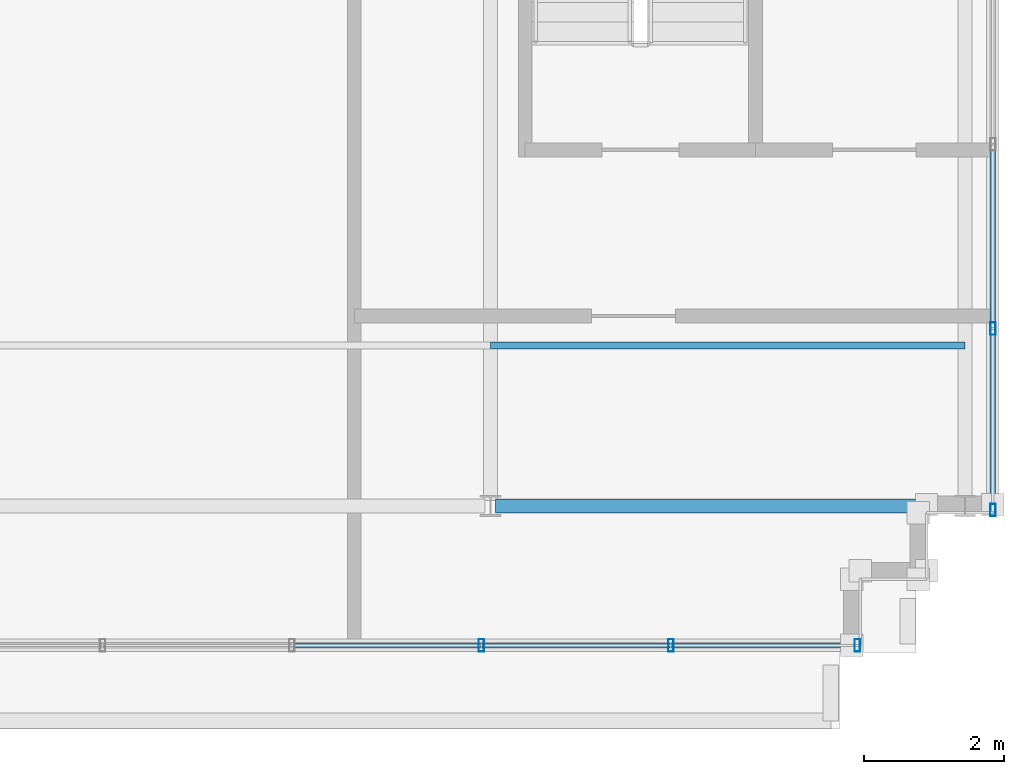
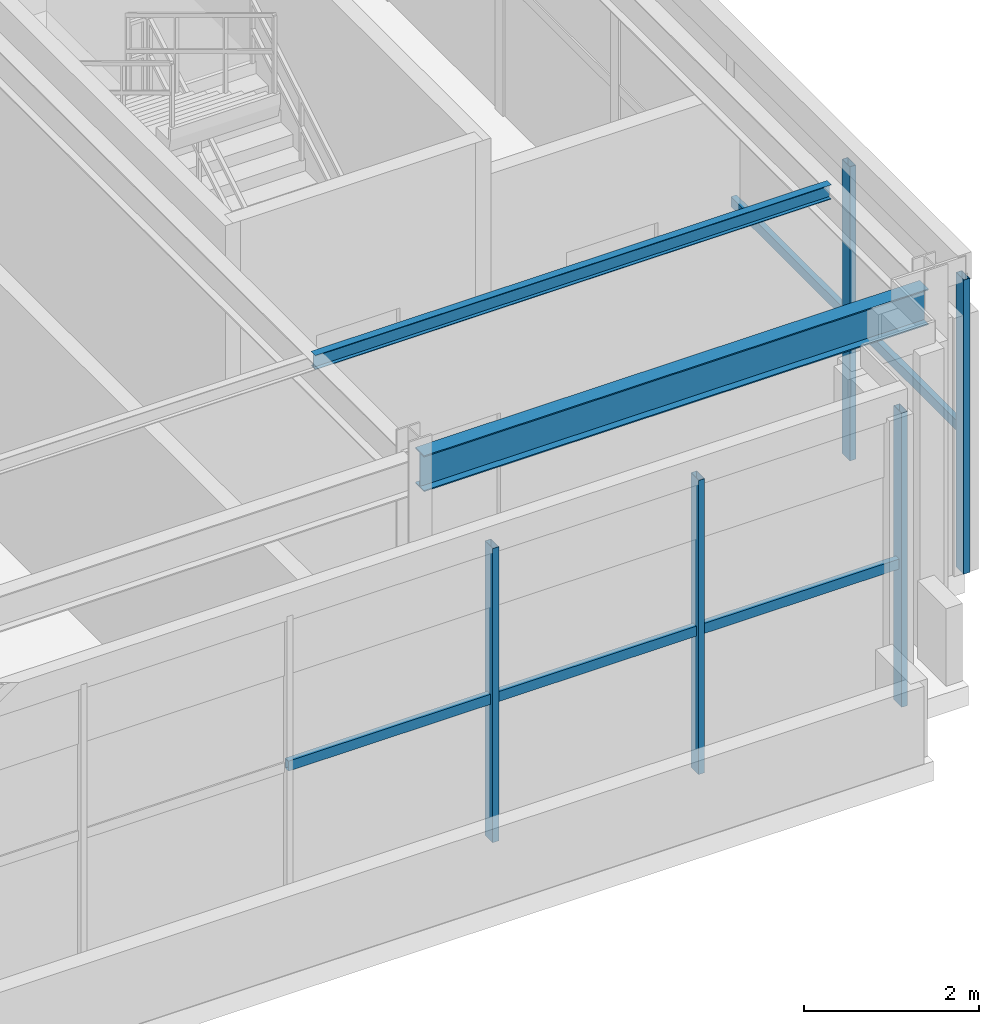
# One storey, part 16 of 31: 11 members, 1 beam, 2 elements without a shape of their own.
"""IFC4 building model written with IfcOpenShell, lengths in metres."""

from ifc_helpers import new_model, si_unit, direction, frame, origin, origin_2d, place, context, subcontext, project, spatial, hollow_rectangle, i_section, extrude, source, transform, mapped, material, material_profile, profile_set, type_object, element, aggregate, save


model = new_model("IFC4")

# Units and contexts
model_context = context("Model", 3, precision=1e-05, world=origin(), true_north=direction((0.0, 1.0)))
body_context = subcontext(model_context, "Body", "Model", "MODEL_VIEW")
ifc_project = project(units=[si_unit("LENGTHUNIT", "METRE"), si_unit("AREAUNIT", "SQUARE_METRE"), si_unit("VOLUMEUNIT", "CUBIC_METRE"), si_unit("PLANEANGLEUNIT", "RADIAN"), si_unit("MASSUNIT", "GRAM", prefix="KILO")], contexts=[model_context])

# Site, building, storey
site_placement = place(None, origin())
site = spatial("IfcSite", under=ifc_project, at=site_placement, CompositionType="ELEMENT")
building_placement = place(site_placement, origin())
building = spatial("IfcBuilding", under=site, at=building_placement, Name="Trelvane Seafront Commons", CompositionType="ELEMENT")
storey_placement = place(building_placement, frame((0.0, 0.0, 307.89990234375)))
storey = spatial("IfcBuildingStorey", under=building, at=storey_placement, Name="L80", CompositionType="ELEMENT", Elevation=307.89990234375)

# Beam
ifc_material_1 = material(Name="Steel SM355 (S355)", Category="steel")
ifc_material_profile_1 = material_profile(ifc_material_1, i_section(OverallWidth=0.199951171875, OverallDepth=0.5, WebThickness=0.010009765625, FlangeThickness=0.01611328125, at=origin_2d()), Name="H-500x200x10x16")
ifc_profile_set_1 = profile_set([ifc_material_profile_1], Name="Steel SM355 (S355)")
beam_type = type_object("IfcBeamType", Name="STR-CROWN-FRAME-RING", PredefinedType="SPANDREL", material=ifc_profile_set_1)
shared_shape_1 = source(origin(), body_context, "Body", "SweptSolid", [
    extrude(i_section(OverallWidth=0.199951171875, OverallDepth=0.5, WebThickness=0.010009765625, FlangeThickness=0.01611328125, at=origin_2d()), origin(), (0.0, 0.0, 1.0), 6.64990234375),
])
beam_placement = place(storey_placement, frame((58.875, 18.199951171875, 3.85009765625), z_axis=(1.0, 0.0, 0.0), x_axis=(0.0, 1.0, 0.0)))
element("IfcBeam", 1, at=beam_placement, inside=storey, type_object=beam_type, Name="L80 CROWN FRAME Ring Beam G-07", PredefinedType="SPANDREL", context=body_context, shape_type="MappedRepresentation", body=[
    mapped(shared_shape_1, transform((0.0, 0.0, 0.0), x_axis=(1.0, 0.0, 0.0), y_axis=(0.0, 1.0, 0.0), z_axis=(0.0, 0.0, 1.0), scale=1.0)),
])

# Member
ifc_material_profile_2 = material_profile(ifc_material_1, i_section(OverallWidth=0.10009765625, OverallDepth=0.199951171875, WebThickness=0.005615234375, FlangeThickness=0.008056640625, at=origin_2d()), Name="H-200x100x5.5x8")
ifc_profile_set_2 = profile_set([ifc_material_profile_2], Name="Steel SM355 (S355)")
member_type_1 = type_object("IfcMemberType", Name="STR-PUR-H200", PredefinedType="PURLIN", material=ifc_profile_set_2)
shared_shape_2 = source(origin(), body_context, "Body", "SweptSolid", [
    extrude(i_section(OverallWidth=0.10009765625, OverallDepth=0.199951171875, WebThickness=0.005615234375, FlangeThickness=0.008056640625, at=origin_2d()), origin(), (0.0, 0.0, 1.0), 6.800048828125),
])
member_1_placement = place(storey_placement, frame((58.800048828125, 20.5, 4.0), z_axis=(1.0, 0.0, 0.0), x_axis=(0.0, 1.0, 0.0)))
element("IfcMember", 2, at=member_1_placement, inside=storey, type_object=member_type_1, Name="L80 Crown Roof Purlin PR-1", PredefinedType="PURLIN", context=body_context, shape_type="MappedRepresentation", body=[
    mapped(shared_shape_2, transform((0.0, 0.0, 0.0), x_axis=(1.0, 0.0, 0.0), y_axis=(0.0, 1.0, 0.0), z_axis=(0.0, 0.0, 1.0), scale=1.0)),
])

# Curtain wall, members
ifc_material_2 = material(Name="Anodised pale-silver aluminium", Category="aluminium")
curtain_wall_type = type_object("IfcCurtainWallType", Name="ARCH-CW6-CROWN", PredefinedType="NOTDEFINED", material=ifc_material_2)
curtain_wall_1_placement = place(storey_placement, origin())
curtain_wall_1 = element("IfcCurtainWall", 3, at=curtain_wall_1_placement, inside=storey, type_object=curtain_wall_type, Name="CW-L80-0142", PredefinedType="NOTDEFINED")
ifc_material_profile_3 = material_profile(ifc_material_2, hollow_rectangle(XDim=0.080078125, YDim=0.179931640625, WallThickness=0.00439453125, at=origin_2d()), Name="MULL-80x180x4.5")
ifc_profile_set_3 = profile_set([ifc_material_profile_3], Name="Anodised pale-silver aluminium")
member_type_2 = type_object("IfcMemberType", Name="ARCH-CW-MULL-180", PredefinedType="MULLION", material=ifc_profile_set_3)
shared_shape_3 = source(origin(), body_context, "Body", "SweptSolid", [
    extrude(hollow_rectangle(XDim=0.080078125, YDim=0.179931640625, WallThickness=0.00439453125, at=origin_2d()), origin(), (0.0, 0.0, 1.0), 4.10009765625),
])
member_2_placement = place(storey_placement, frame((66.0, 20.739990234375, 0.0), z_axis=(0.0, 0.0, 1.0), x_axis=(1.0, 0.0, 0.0)))
member_2 = element("IfcMember", 4, at=member_2_placement, type_object=member_type_2, Name="CW-L80-0142-M09", PredefinedType="MULLION", context=body_context, shape_type="MappedRepresentation", body=[
    mapped(shared_shape_3, transform((0.0, 0.0, 0.0), x_axis=(1.0, 0.0, 0.0), y_axis=(0.0, 1.0, 0.0), z_axis=(0.0, 0.0, 1.0), scale=1.0)),
])
member_3_placement = place(storey_placement, frame((66.0, 18.139892578125, 0.0), z_axis=(0.0, 0.0, 1.0), x_axis=(1.0, 0.0, 0.0)))
member_3 = element("IfcMember", 5, at=member_3_placement, type_object=member_type_2, Name="CW-L80-0142-M10", PredefinedType="MULLION", context=body_context, shape_type="MappedRepresentation", body=[
    mapped(shared_shape_3, transform((0.0, 0.0, 0.0), x_axis=(1.0, 0.0, 0.0), y_axis=(0.0, 1.0, 0.0), z_axis=(0.0, 0.0, 1.0), scale=1.0)),
])

curtain_wall_2_placement = place(storey_placement, origin())
curtain_wall_2 = element("IfcCurtainWall", 6, at=curtain_wall_2_placement, inside=storey, type_object=curtain_wall_type, Name="CW-L80-0143", PredefinedType="NOTDEFINED")
member_4_placement = place(storey_placement, frame((64.06005859375, 16.199951171875, 0.0), z_axis=(0.0, 0.0, 1.0), x_axis=(1.0, 0.0, 0.0)))
member_4 = element("IfcMember", 7, at=member_4_placement, type_object=member_type_2, Name="CW-L80-0143-M00", PredefinedType="MULLION", context=body_context, shape_type="MappedRepresentation", body=[
    mapped(shared_shape_3, transform((0.0, 0.0, 0.0), x_axis=(1.0, 0.0, 0.0), y_axis=(0.0, 1.0, 0.0), z_axis=(0.0, 0.0, 1.0), scale=1.0)),
])
member_5_placement = place(storey_placement, frame((61.3857421875, 16.199951171875, 0.0), z_axis=(0.0, 0.0, 1.0), x_axis=(1.0, 0.0, 0.0)))
member_5 = element("IfcMember", 8, at=member_5_placement, type_object=member_type_2, Name="CW-L80-0143-M01", PredefinedType="MULLION", context=body_context, shape_type="MappedRepresentation", body=[
    mapped(shared_shape_3, transform((0.0, 0.0, 0.0), x_axis=(1.0, 0.0, 0.0), y_axis=(0.0, 1.0, 0.0), z_axis=(0.0, 0.0, 1.0), scale=1.0)),
])
member_6_placement = place(storey_placement, frame((58.67138671875, 16.199951171875, 0.0), z_axis=(0.0, 0.0, 1.0), x_axis=(1.0, 0.0, 0.0)))
member_6 = element("IfcMember", 9, at=member_6_placement, type_object=member_type_2, Name="CW-L80-0143-M02", PredefinedType="MULLION", context=body_context, shape_type="MappedRepresentation", body=[
    mapped(shared_shape_3, transform((0.0, 0.0, 0.0), x_axis=(1.0, 0.0, 0.0), y_axis=(0.0, 1.0, 0.0), z_axis=(0.0, 0.0, 1.0), scale=1.0)),
])

# Member
ifc_material_profile_4 = material_profile(ifc_material_2, hollow_rectangle(XDim=0.074951171875, YDim=0.139892578125, WallThickness=0.00390625, at=origin_2d()), Name="TRAN-75x140x4")
ifc_profile_set_4 = profile_set([ifc_material_profile_4], Name="Anodised pale-silver aluminium")
member_type_3 = type_object("IfcMemberType", Name="ARCH-CW-TRAN-140", PredefinedType="USERDEFINED", material=ifc_profile_set_4)
shared_shape_4 = source(origin(), body_context, "Body", "SweptSolid", [
    extrude(hollow_rectangle(XDim=0.074951171875, YDim=0.139892578125, WallThickness=0.00390625, at=origin_2d()), origin(), (0.0, 0.0, 1.0), 2.615966796875),
])
member_7_placement = place(storey_placement, frame((66.0, 23.367919921875, 1.968017578125), z_axis=(0.0, -1.0, 0.0), x_axis=(1.0, 0.0, 0.0)))
member_7 = element("IfcMember", 10, at=member_7_placement, type_object=member_type_3, Name="CW-L80-0142-T08", ObjectType="TRANSOM", PredefinedType="USERDEFINED", context=body_context, shape_type="MappedRepresentation", body=[
    mapped(shared_shape_4, transform((0.0, 0.0, 0.0), x_axis=(1.0, 0.0, 0.0), y_axis=(0.0, 1.0, 0.0), z_axis=(0.0, 0.0, 1.0), scale=1.0)),
])

member_8_placement = place(storey_placement, frame((66.0, 20.72802734375, 1.968017578125), z_axis=(0.0, -1.0, 0.0), x_axis=(1.0, 0.0, 0.0)))
member_8 = element("IfcMember", 11, at=member_8_placement, type_object=member_type_3, Name="CW-L80-0142-T09", ObjectType="TRANSOM", PredefinedType="USERDEFINED", context=body_context, shape_type="MappedRepresentation", body=[
    mapped(shared_shape_4, transform((0.0, 0.0, 0.0), x_axis=(1.0, 0.0, 0.0), y_axis=(0.0, 1.0, 0.0), z_axis=(0.0, 0.0, 1.0), scale=1.0)),
])

aggregate(curtain_wall_1, [member_2, member_3, member_7, member_8])

shared_shape_5 = source(origin(), body_context, "Body", "SweptSolid", [
    extrude(hollow_rectangle(XDim=0.074951171875, YDim=0.139892578125, WallThickness=0.00390625, at=origin_2d()), origin(), (0.0, 0.0, 1.0), 2.690185546875),
])
member_9_placement = place(storey_placement, frame((64.087890625, 16.199951171875, 1.968017578125), z_axis=(-1.0, 0.0, 0.0), x_axis=(0.0, -1.0, 0.0)))
member_9 = element("IfcMember", 12, at=member_9_placement, type_object=member_type_3, Name="CW-L80-0143-T00", ObjectType="TRANSOM", PredefinedType="USERDEFINED", context=body_context, shape_type="MappedRepresentation", body=[
    mapped(shared_shape_5, transform((0.0, 0.0, 0.0), x_axis=(1.0, 0.0, 0.0), y_axis=(0.0, 1.0, 0.0), z_axis=(0.0, 0.0, 1.0), scale=1.0)),
])

shared_shape_6 = source(origin(), body_context, "Body", "SweptSolid", [
    extrude(hollow_rectangle(XDim=0.074951171875, YDim=0.139892578125, WallThickness=0.00390625, at=origin_2d()), origin(), (0.0, 0.0, 1.0), 2.6904296875),
])
member_10_placement = place(storey_placement, frame((61.373779296875, 16.199951171875, 1.968017578125), z_axis=(-1.0, 0.0, 0.0), x_axis=(0.0, -1.0, 0.0)))
member_10 = element("IfcMember", 13, at=member_10_placement, type_object=member_type_3, Name="CW-L80-0143-T01", ObjectType="TRANSOM", PredefinedType="USERDEFINED", context=body_context, shape_type="MappedRepresentation", body=[
    mapped(shared_shape_6, transform((0.0, 0.0, 0.0), x_axis=(1.0, 0.0, 0.0), y_axis=(0.0, 1.0, 0.0), z_axis=(0.0, 0.0, 1.0), scale=1.0)),
])

member_11_placement = place(storey_placement, frame((58.659423828125, 16.199951171875, 1.968017578125), z_axis=(-1.0, 0.0, 0.0), x_axis=(0.0, -1.0, 0.0)))
member_11 = element("IfcMember", 14, at=member_11_placement, type_object=member_type_3, Name="CW-L80-0143-T02", ObjectType="TRANSOM", PredefinedType="USERDEFINED", context=body_context, shape_type="MappedRepresentation", body=[
    mapped(shared_shape_6, transform((0.0, 0.0, 0.0), x_axis=(1.0, 0.0, 0.0), y_axis=(0.0, 1.0, 0.0), z_axis=(0.0, 0.0, 1.0), scale=1.0)),
])

aggregate(curtain_wall_2, [member_4, member_5, member_6, member_9, member_10, member_11])

save(model, "model.ifc")
